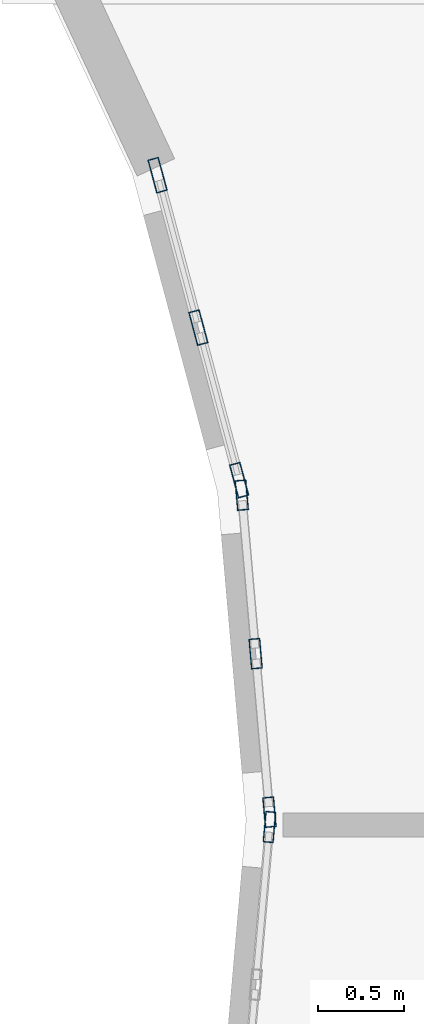
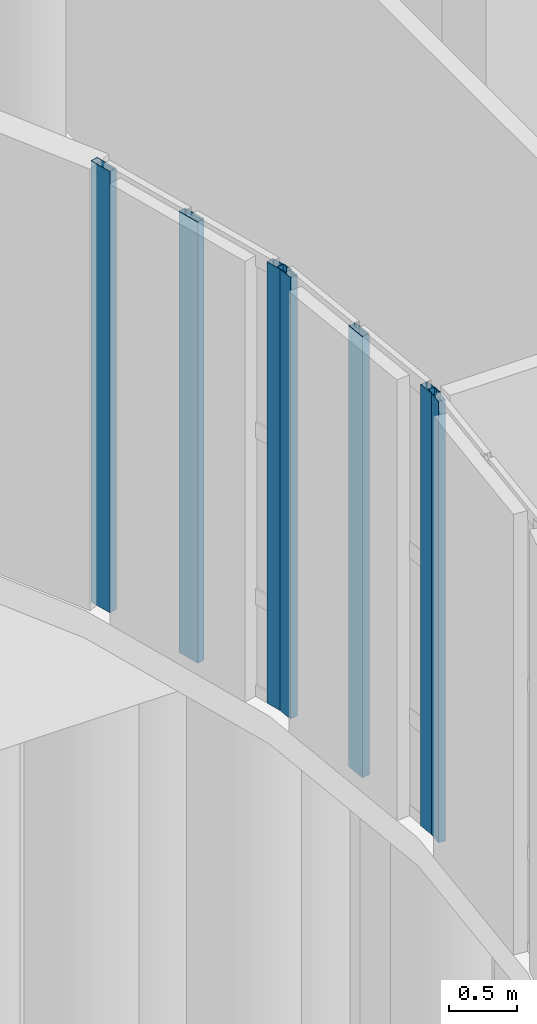
# One storey, part 31 of 93: 7 members, 3 elements without a shape of their own.
"""IFC4 building model written with IfcOpenShell, lengths in metres."""

from ifc_helpers import new_model, si_unit, direction, frame, origin, origin_2d, place, context, subcontext, project, spatial, hollow_rectangle, extrude, material, layer, layer_set, material_profile, profile_set, type_object, element, aggregate, save


model = new_model("IFC4")

# Units and contexts
model_context = context("Model", 3, precision=1e-05, world=origin(), true_north=direction((0.0, 1.0)))
body_context = subcontext(model_context, "Body", "Model", "MODEL_VIEW")
ifc_project = project(units=[si_unit("LENGTHUNIT", "METRE"), si_unit("AREAUNIT", "SQUARE_METRE"), si_unit("VOLUMEUNIT", "CUBIC_METRE"), si_unit("PLANEANGLEUNIT", "RADIAN"), si_unit("MASSUNIT", "GRAM", prefix="KILO")], contexts=[model_context])

# Site, building, storey
site_placement = place(None, origin())
site = spatial("IfcSite", under=ifc_project, at=site_placement, CompositionType="ELEMENT")
building_placement = place(site_placement, origin())
building = spatial("IfcBuilding", under=site, at=building_placement, Name="Kelanivale Promenade Academy", CompositionType="ELEMENT")
storey_placement = place(building_placement, origin())
storey = spatial("IfcBuildingStorey", under=building, at=storey_placement, Name="L00", CompositionType="ELEMENT", Elevation=0.0)

# Curtain wall, member
ifc_material_1 = material(Name="Bronze anodised aluminium and solar-control low-E glass", Category="aluminium")
ifc_layer_1 = layer(ifc_material_1, 0.179931640625)
ifc_layer_set_1 = layer_set([ifc_layer_1], Name="Bronze anodised aluminium and solar-control low-E glass")
curtain_wall_type_1 = type_object("IfcCurtainWallType", Name="CW-02 Curtain Wall 1500mm Module", PredefinedType="USERDEFINED", material=ifc_layer_set_1)
curtain_wall_1_placement = place(storey_placement, origin())
curtain_wall_1 = element("IfcCurtainWall", 1, at=curtain_wall_1_placement, inside=storey, type_object=curtain_wall_type_1, Name="L00 courtyard curtain wall CW-02", ObjectType="UNITISED GLAZING", PredefinedType="USERDEFINED")
ifc_material_2 = material(Name="Bronze anodised aluminium EN AW-6063 T6", Category="aluminium")
ifc_material_profile_1 = material_profile(ifc_material_2, hollow_rectangle(XDim=0.06005859375, YDim=0.179931640625, WallThickness=0.00390625, at=origin_2d()), Name="ALU 60x180x4.0")
ifc_profile_set_1 = profile_set([ifc_material_profile_1], Name="Bronze anodised aluminium EN AW-6063 T6")
member_type_1 = type_object("IfcMemberType", Name="CWM-02 ALU 60x180x4.0", PredefinedType="MULLION", material=ifc_profile_set_1)
member_1_placement = place(storey_placement, frame((74.536376953125, 56.758056640625, 0.0), z_axis=(0.0, 0.0, 1.0), x_axis=(-0.996185153601, 0.087264768066, 0.0)))
member_1 = element("IfcMember", 2, at=member_1_placement, type_object=member_type_1, Name="CW-02 mullion 3", PredefinedType="MULLION", context=body_context, shape_type="SweptSolid", body=[
    extrude(hollow_rectangle(XDim=0.06005859375, YDim=0.179931640625, WallThickness=0.00390625, at=origin_2d()), origin(), (0.0, 0.0, 1.0), 3.97998046875),
])
aggregate(curtain_wall_1, [member_1])

# Curtain wall, members
ifc_layer_2 = layer(ifc_material_1, 0.159912109375)
ifc_layer_set_2 = layer_set([ifc_layer_2], Name="Bronze anodised aluminium and solar-control low-E glass")
curtain_wall_type_2 = type_object("IfcCurtainWallType", Name="CW-03 Curtain Wall 1650mm Module", PredefinedType="USERDEFINED", material=ifc_layer_set_2)
curtain_wall_2_placement = place(storey_placement, origin())
curtain_wall_2 = element("IfcCurtainWall", 3, at=curtain_wall_2_placement, inside=storey, type_object=curtain_wall_type_2, Name="L00 courtyard curtain wall CW-03", ObjectType="UNITISED GLAZING", PredefinedType="USERDEFINED")
ifc_material_profile_2 = material_profile(ifc_material_2, hollow_rectangle(XDim=0.06494140625, YDim=0.175048828125, WallThickness=0.00390625, at=origin_2d()), Name="ALU 65x175x4.0")
ifc_profile_set_2 = profile_set([ifc_material_profile_2], Name="Bronze anodised aluminium EN AW-6063 T6")
member_type_2 = type_object("IfcMemberType", Name="CWM-03 ALU 65x175x4.0", PredefinedType="MULLION", material=ifc_profile_set_2)
member_2_placement = place(storey_placement, frame((74.5361328125, 56.844482421875, 0.0), z_axis=(0.0, 0.0, 1.0), x_axis=(-0.996199376727, -0.087102249164, 0.0)))
member_2 = element("IfcMember", 4, at=member_2_placement, type_object=member_type_2, Name="CW-03 mullion 1", PredefinedType="MULLION", context=body_context, shape_type="SweptSolid", body=[
    extrude(hollow_rectangle(XDim=0.06494140625, YDim=0.175048828125, WallThickness=0.00390625, at=origin_2d()), origin(), (0.0, 0.0, 1.0), 3.97998046875),
])
member_3_placement = place(storey_placement, frame((74.45556640625, 57.76708984375, 0.0), z_axis=(0.0, 0.0, 1.0), x_axis=(-0.996199376727, -0.087102249164, 0.0)))
member_3 = element("IfcMember", 5, at=member_3_placement, type_object=member_type_2, Name="CW-03 mullion 2", PredefinedType="MULLION", context=body_context, shape_type="SweptSolid", body=[
    extrude(hollow_rectangle(XDim=0.06494140625, YDim=0.175048828125, WallThickness=0.00390625, at=origin_2d()), origin(), (0.0, 0.0, 1.0), 3.97998046875),
])
member_4_placement = place(storey_placement, frame((74.374755859375, 58.689697265625, 0.0), z_axis=(0.0, 0.0, 1.0), x_axis=(-0.996199376727, -0.087102249164, 0.0)))
member_4 = element("IfcMember", 6, at=member_4_placement, type_object=member_type_2, Name="CW-03 mullion 3", PredefinedType="MULLION", context=body_context, shape_type="SweptSolid", body=[
    extrude(hollow_rectangle(XDim=0.06494140625, YDim=0.175048828125, WallThickness=0.00390625, at=origin_2d()), origin(), (0.0, 0.0, 1.0), 3.97998046875),
])
aggregate(curtain_wall_2, [member_2, member_3, member_4])

ifc_layer_3 = layer(ifc_material_1, 0.169921875)
ifc_layer_set_3 = layer_set([ifc_layer_3], Name="Bronze anodised aluminium and solar-control low-E glass")
curtain_wall_type_3 = type_object("IfcCurtainWallType", Name="CW-04 Curtain Wall 1800mm Module", PredefinedType="USERDEFINED", material=ifc_layer_set_3)
curtain_wall_3_placement = place(storey_placement, origin())
curtain_wall_3 = element("IfcCurtainWall", 7, at=curtain_wall_3_placement, inside=storey, type_object=curtain_wall_type_3, Name="L00 courtyard curtain wall CW-04", ObjectType="UNITISED GLAZING", PredefinedType="USERDEFINED")
ifc_material_profile_3 = material_profile(ifc_material_2, hollow_rectangle(XDim=0.06494140625, YDim=0.199951171875, WallThickness=0.00439453125, at=origin_2d()), Name="ALU 65x200x4.5")
ifc_profile_set_3 = profile_set([ifc_material_profile_3], Name="Bronze anodised aluminium EN AW-6063 T6")
member_type_3 = type_object("IfcMemberType", Name="CWM-04 ALU 65x200x4.5", PredefinedType="MULLION", material=ifc_profile_set_3)
member_5_placement = place(storey_placement, frame((74.359619140625, 58.77734375, 0.0), z_axis=(0.0, 0.0, 1.0), x_axis=(-0.965990259056, -0.258578458902, 0.0)))
member_5 = element("IfcMember", 8, at=member_5_placement, type_object=member_type_3, Name="CW-04 mullion 1", PredefinedType="MULLION", context=body_context, shape_type="SweptSolid", body=[
    extrude(hollow_rectangle(XDim=0.06494140625, YDim=0.199951171875, WallThickness=0.00439453125, at=origin_2d()), origin(), (0.0, 0.0, 1.0), 3.97998046875),
])
member_6_placement = place(storey_placement, frame((74.1220703125, 59.6650390625, 0.0), z_axis=(0.0, 0.0, 1.0), x_axis=(-0.965990259056, -0.258578458902, 0.0)))
member_6 = element("IfcMember", 9, at=member_6_placement, type_object=member_type_3, Name="CW-04 mullion 2", PredefinedType="MULLION", context=body_context, shape_type="SweptSolid", body=[
    extrude(hollow_rectangle(XDim=0.06494140625, YDim=0.199951171875, WallThickness=0.00439453125, at=origin_2d()), origin(), (0.0, 0.0, 1.0), 3.97998046875),
])
member_7_placement = place(storey_placement, frame((73.884521484375, 60.552490234375, 0.0), z_axis=(0.0, 0.0, 1.0), x_axis=(-0.965990259056, -0.258578458902, 0.0)))
member_7 = element("IfcMember", 10, at=member_7_placement, type_object=member_type_3, Name="CW-04 mullion 3", PredefinedType="MULLION", context=body_context, shape_type="SweptSolid", body=[
    extrude(hollow_rectangle(XDim=0.06494140625, YDim=0.199951171875, WallThickness=0.00439453125, at=origin_2d()), origin(), (0.0, 0.0, 1.0), 3.97998046875),
])
aggregate(curtain_wall_3, [member_5, member_6, member_7])

save(model, "model.ifc")
